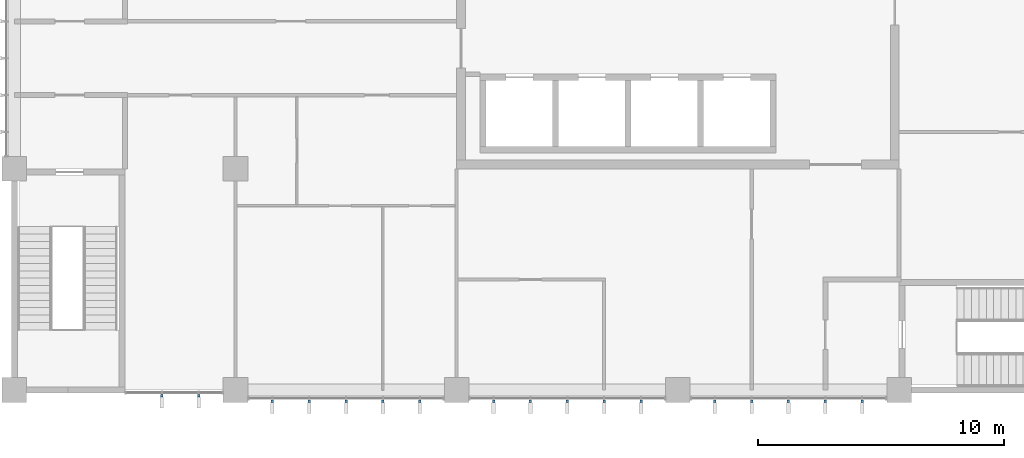
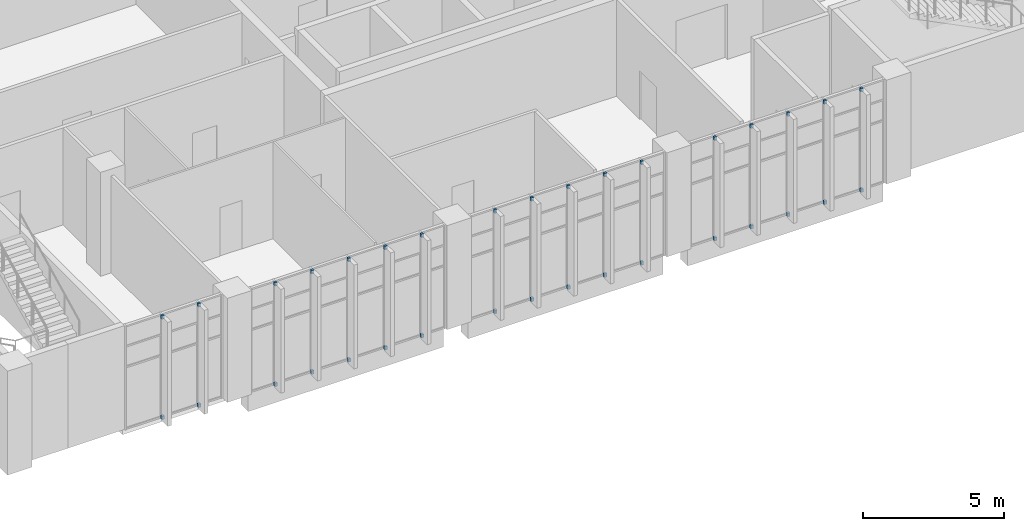
# One storey, part 78 of 88: 34 discrete accessories.
"""IFC4 building model written with IfcOpenShell, lengths in metres."""

from ifc_helpers import new_model, si_unit, direction, frame, origin, origin_2d, place, context, subcontext, project, spatial, rectangle, extrude, material, type_object, element, save


model = new_model("IFC4")

# Units and contexts
model_context = context("Model", 3, precision=1e-05, world=origin(), true_north=direction((0.0, 1.0)))
body_context = subcontext(model_context, "Body", "Model", "MODEL_VIEW")
ifc_project = project(units=[si_unit("LENGTHUNIT", "METRE"), si_unit("AREAUNIT", "SQUARE_METRE"), si_unit("VOLUMEUNIT", "CUBIC_METRE"), si_unit("PLANEANGLEUNIT", "RADIAN"), si_unit("MASSUNIT", "GRAM", prefix="KILO")], contexts=[model_context])

# Site, building, storey
site_placement = place(None, origin())
site = spatial("IfcSite", under=ifc_project, at=site_placement, CompositionType="ELEMENT")
building_placement = place(site_placement, origin())
building = spatial("IfcBuilding", under=site, at=building_placement, Name="Guidao Yard Department Store", CompositionType="ELEMENT")
storey_placement = place(building_placement, frame((0.0, 0.0, 6.0)))
storey = spatial("IfcBuildingStorey", under=building, at=storey_placement, Name="L01", CompositionType="ELEMENT", Elevation=6.0)

# Discrete accessories
ifc_material = material(Name="Steel Q355B", Category="steel")
discrete_accessory_type = type_object("IfcDiscreteAccessoryType", Name="Fin bracket BR3 steel plate", PredefinedType="BRACKET", material=ifc_material)
for number, where, z_axis, x_axis, name in (
    (1, (132.0, -0.22998046875, 0.0), (0.0, 0.0, 1.0), (-1.0, 0.0, 0.0), "Fin bracket"),
    (2, (132.0, -0.22998046875, 4.35009765625), (0.0, 0.0, 1.0), (-1.0, 0.0, 0.0), "Fin bracket"),
    (3, (133.5, -0.22998046875, 0.0), (0.0, 0.0, 1.0), (-1.0, 0.0, 0.0), "Fin bracket"),
    (4, (133.5, -0.22998046875, 4.35009765625), (0.0, 0.0, 1.0), (-1.0, 0.0, 0.0), "Fin bracket"),
    (5, (136.5, -0.4599609375, 0.0), (0.0, 0.0, 1.0), (-1.0, 0.0, 0.0), "Fin bracket"),
    (6, (136.5, -0.4599609375, 4.35009765625), (0.0, 0.0, 1.0), (-1.0, 0.0, 0.0), "Fin bracket"),
    (7, (138.0, -0.4599609375, 0.0), (0.0, 0.0, 1.0), (-1.0, 0.0, 0.0), "Fin bracket"),
    (8, (138.0, -0.4599609375, 4.35009765625), (0.0, 0.0, 1.0), (-1.0, 0.0, 0.0), "Fin bracket"),
    (9, (139.5, -0.4599609375, 0.0), (0.0, 0.0, 1.0), (-1.0, 0.0, 0.0), "Fin bracket"),
    (10, (139.5, -0.4599609375, 4.35009765625), (0.0, 0.0, 1.0), (-1.0, 0.0, 0.0), "Fin bracket"),
    (11, (141.0, -0.4599609375, 0.0), (0.0, 0.0, 1.0), (-1.0, 0.0, 0.0), "Fin bracket"),
    (12, (141.0, -0.4599609375, 4.35009765625), (0.0, 0.0, 1.0), (-1.0, 0.0, 0.0), "Fin bracket"),
    (13, (142.5, -0.4599609375, 0.0), (0.0, 0.0, 1.0), (-1.0, 0.0, 0.0), "Fin bracket"),
    (14, (142.5, -0.4599609375, 4.35009765625), (0.0, 0.0, 1.0), (-1.0, 0.0, 0.0), "Fin bracket"),
    (15, (145.5, -0.4599609375, 0.0), (0.0, 0.0, 1.0), (-1.0, 0.0, 0.0), "Fin bracket"),
    (16, (145.5, -0.4599609375, 4.35009765625), (0.0, 0.0, 1.0), (-1.0, 0.0, 0.0), "Fin bracket"),
    (17, (147.0, -0.4599609375, 0.0), (0.0, 0.0, 1.0), (-1.0, 0.0, 0.0), "Fin bracket"),
    (18, (147.0, -0.4599609375, 4.35009765625), (0.0, 0.0, 1.0), (-1.0, 0.0, 0.0), "Fin bracket"),
    (19, (148.5, -0.4599609375, 0.0), (0.0, 0.0, 1.0), (-1.0, 0.0, 0.0), "Fin bracket"),
    (20, (148.5, -0.4599609375, 4.35009765625), (0.0, 0.0, 1.0), (-1.0, 0.0, 0.0), "Fin bracket"),
    (21, (150.0, -0.4599609375, 0.0), (0.0, 0.0, 1.0), (-1.0, 0.0, 0.0), "Fin bracket"),
    (22, (150.0, -0.4599609375, 4.35009765625), (0.0, 0.0, 1.0), (-1.0, 0.0, 0.0), "Fin bracket"),
    (23, (151.5, -0.4599609375, 0.0), (0.0, 0.0, 1.0), (-1.0, 0.0, 0.0), "Fin bracket"),
    (24, (151.5, -0.4599609375, 4.35009765625), (0.0, 0.0, 1.0), (-1.0, 0.0, 0.0), "Fin bracket"),
    (25, (154.5, -0.4599609375, 0.0), (0.0, 0.0, 1.0), (-1.0, 0.0, 0.0), "Fin bracket"),
    (26, (154.5, -0.4599609375, 4.35009765625), (0.0, 0.0, 1.0), (-1.0, 0.0, 0.0), "Fin bracket"),
    (27, (156.0, -0.4599609375, 0.0), (0.0, 0.0, 1.0), (-1.0, 0.0, 0.0), "Fin bracket"),
    (28, (156.0, -0.4599609375, 4.35009765625), (0.0, 0.0, 1.0), (-1.0, 0.0, 0.0), "Fin bracket"),
    (29, (157.5, -0.4599609375, 0.0), (0.0, 0.0, 1.0), (-1.0, 0.0, 0.0), "Fin bracket"),
    (30, (157.5, -0.4599609375, 4.35009765625), (0.0, 0.0, 1.0), (-1.0, 0.0, 0.0), "Fin bracket"),
    (31, (159.0, -0.4599609375, 0.0), (0.0, 0.0, 1.0), (-1.0, 0.0, 0.0), "Fin bracket"),
    (32, (159.0, -0.4599609375, 4.35009765625), (0.0, 0.0, 1.0), (-1.0, 0.0, 0.0), "Fin bracket"),
    (33, (160.5, -0.4599609375, 0.0), (0.0, 0.0, 1.0), (-1.0, 0.0, 0.0), "Fin bracket"),
    (34, (160.5, -0.4599609375, 4.35009765625), (0.0, 0.0, 1.0), (-1.0, 0.0, 0.0), "Fin bracket"),
):
    element("IfcDiscreteAccessory", number, at=place(storey_placement, frame(where, z_axis=z_axis, x_axis=x_axis)), inside=storey, type_object=discrete_accessory_type, Name=name, PredefinedType="BRACKET", context=body_context, shape_type="SweptSolid", body=[
        extrude(rectangle(XDim=0.10009765625, YDim=0.10009765625, at=origin_2d()), origin(), (0.0, 0.0, 1.0), 0.14990234375),
    ])

save(model, "model.ifc")
